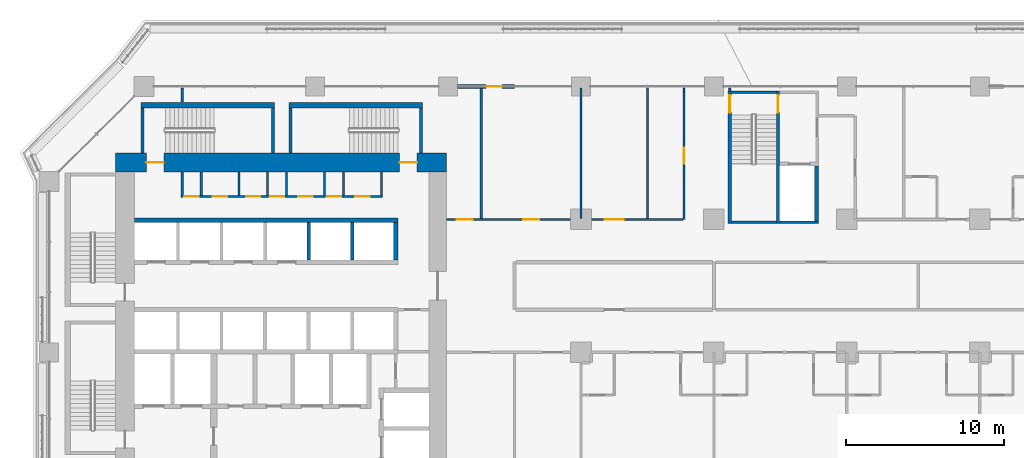
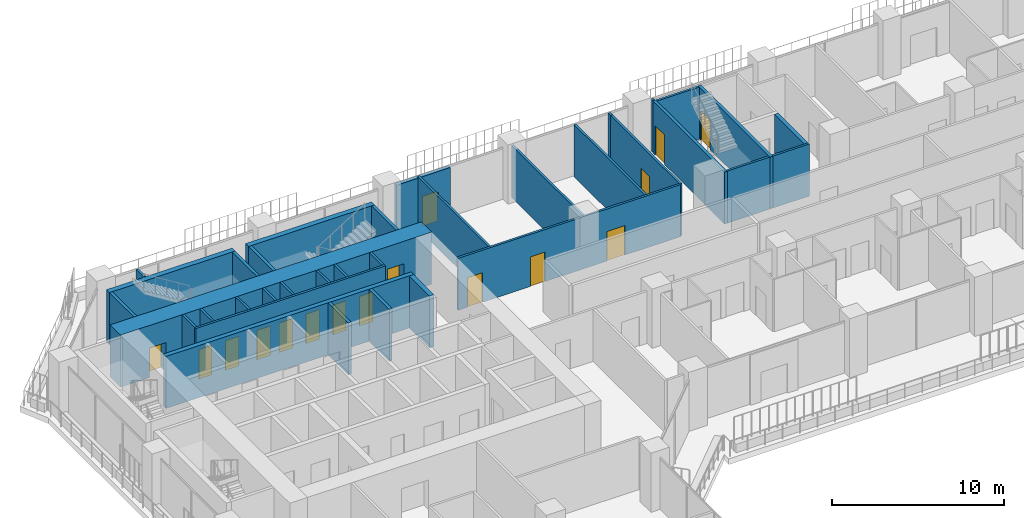
# One storey, part 18 of 28: 35 walls, 16 doors, 16 openings.
"""IFC4 building model written with IfcOpenShell, lengths in metres."""

from ifc_helpers import new_model, si_unit, direction, frame, frame_2d, origin, place, context, subcontext, project, spatial, rectangle, extrude, material, layer, layer_set, type_object, element, fill, save


model = new_model("IFC4")

# Units and contexts
model_context = context("Model", 3, precision=1e-05, world=origin(), true_north=direction((0.0, 1.0)))
body_context = subcontext(model_context, "Body", "Model", "MODEL_VIEW")
ifc_project = project(units=[si_unit("LENGTHUNIT", "METRE"), si_unit("AREAUNIT", "SQUARE_METRE"), si_unit("VOLUMEUNIT", "CUBIC_METRE"), si_unit("PLANEANGLEUNIT", "RADIAN"), si_unit("MASSUNIT", "GRAM", prefix="KILO")], contexts=[model_context])

# Site, building, storey
site_placement = place(None, origin())
site = spatial("IfcSite", under=ifc_project, at=site_placement, CompositionType="ELEMENT")
building_placement = place(site_placement, origin())
building = spatial("IfcBuilding", under=site, at=building_placement, Name="Kawkab Arch Medical Tower", CompositionType="ELEMENT")
storey_placement = place(building_placement, frame((0.0, 0.0, 89.60009765625)))
storey = spatial("IfcBuildingStorey", under=building, at=storey_placement, Name="L20", CompositionType="ELEMENT", Elevation=89.60009765625)

# Wall, openings, doors
ifc_material_1 = material(Name="Concrete C60/75", Category="concrete")
ifc_layer_1 = layer(ifc_material_1, 1.199951171875)
ifc_layer_set_1 = layer_set([ifc_layer_1], Name="Concrete C60/75")
wall_type_1 = type_object("IfcWallType", Name="Core ring wall 1200 C60/75", PredefinedType="SHEAR", material=ifc_layer_set_1)
wall_1_placement = place(storey_placement, frame((4.199951171875, -4.800048828125, 0.0), z_axis=(0.0, 0.0, 1.0), x_axis=(1.0, 0.0, 0.0)))
wall_1 = element("IfcWall", 1, at=wall_1_placement, inside=storey, type_object=wall_type_1, Name="L20 core wall", PredefinedType="SHEAR", context=body_context, shape_type="SweptSolid", body=[
    extrude(rectangle(XDim=20.900146484375, YDim=1.199951171875, at=frame_2d((10.4501953125, 0.0))), origin(), (0.0, 0.0, 1.0), 3.699951171875),
])
opening_1_placement = place(wall_1_placement, frame((1.949951171875, 0.0, 0.0)))
opening_1 = element("IfcOpeningElement", 2, at=opening_1_placement, cuts=wall_1, Name="Opening SD", PredefinedType="OPENING", context=body_context, shape_type="SweptSolid", body=[
    extrude(rectangle(XDim=1.10009765625, YDim=2.10009765625, at=frame_2d((0.550048828125, 1.050048828125))), frame((0.0, 0.60986328125, 0.0), z_axis=(0.0, -1.0, 0.0), x_axis=(1.0, 0.0, 0.0)), (0.0, 0.0, 1.0), 1.219970703125),
])
opening_2_placement = place(wall_1_placement, frame((17.949951171875, 0.0, 0.0)))
opening_2 = element("IfcOpeningElement", 3, at=opening_2_placement, cuts=wall_1, Name="Opening SD", PredefinedType="OPENING", context=body_context, shape_type="SweptSolid", body=[
    extrude(rectangle(XDim=1.10009765625, YDim=2.10009765625, at=frame_2d((0.550048828125, 1.050048828125))), frame((0.0, 0.60986328125, 0.0), z_axis=(0.0, -1.0, 0.0), x_axis=(1.0, 0.0, 0.0)), (0.0, 0.0, 1.0), 1.219970703125),
])
ifc_material_2 = material(Name="Hollow metal fire door leaf")
door_type_1 = type_object("IfcDoorType", Name="Exit stair door 1100", OperationType="SINGLE_SWING_LEFT", PredefinedType="DOOR", material=ifc_material_2)
door_1_placement = place(opening_1_placement, origin())
door_1 = element("IfcDoor", 4, at=door_1_placement, inside=storey, type_object=door_type_1, Name="L20 Exit stair ST3 door", OperationType="SINGLE_SWING_LEFT", OverallHeight=2.10009765625, OverallWidth=1.10009765625, PredefinedType="DOOR", context=body_context, shape_type="SweptSolid", body=[
    extrude(rectangle(XDim=1.10009765625, YDim=2.10009765625, at=frame_2d((0.550048828125, 1.050048828125))), frame((0.0, 0.02490234375, 0.0), z_axis=(0.0, -1.0, 0.0), x_axis=(1.0, 0.0, 0.0)), (0.0, 0.0, 1.0), 0.050048828125),
])
fill(opening_1, door_1)
door_2_placement = place(opening_2_placement, origin())
door_2 = element("IfcDoor", 5, at=door_2_placement, inside=storey, type_object=door_type_1, Name="L20 Exit stair ST4 door", OperationType="SINGLE_SWING_LEFT", OverallHeight=2.10009765625, OverallWidth=1.10009765625, PredefinedType="DOOR", context=body_context, shape_type="SweptSolid", body=[
    extrude(rectangle(XDim=1.10009765625, YDim=2.10009765625, at=frame_2d((0.550048828125, 1.050048828125))), frame((0.0, 0.02490234375, 0.0), z_axis=(0.0, -1.0, 0.0), x_axis=(1.0, 0.0, 0.0)), (0.0, 0.0, 1.0), 0.050048828125),
])
fill(opening_2, door_2)

ifc_material_3 = material(Name="Gypsum board on steel studs", Category="steel")
ifc_layer_2 = layer(ifc_material_3, 0.14990234375)
ifc_layer_set_2 = layer_set([ifc_layer_2], Name="Gypsum board on steel studs")
wall_type_2 = type_object("IfcWallType", Name="Core room partition 150", PredefinedType="PARTITIONING", material=ifc_layer_set_2)
wall_2_placement = place(storey_placement, frame((8.324951171875, -6.949951171875, 0.0), z_axis=(0.0, 0.0, 1.0), x_axis=(1.0, 0.0, 0.0)))
wall_2 = element("IfcWall", 6, at=wall_2_placement, inside=storey, type_object=wall_type_2, Name="L20 core room partition", PredefinedType="PARTITIONING", context=body_context, shape_type="SweptSolid", body=[
    extrude(rectangle(XDim=12.75, YDim=0.14990234375, at=frame_2d((6.375, 0.0))), origin(), (0.0, 0.0, 1.0), 3.699951171875),
])
opening_3_placement = place(wall_2_placement, frame((0.22509765625, 0.0, 0.0)))
opening_3 = element("IfcOpeningElement", 7, at=opening_3_placement, cuts=wall_2, Name="Opening RD", PredefinedType="OPENING", context=body_context, shape_type="SweptSolid", body=[
    extrude(rectangle(XDim=0.89990234375, YDim=2.10009765625, at=frame_2d((0.449951171875, 1.050048828125))), frame((0.0, 0.0849609375, 0.0), z_axis=(0.0, -1.0, 0.0), x_axis=(1.0, 0.0, 0.0)), (0.0, 0.0, 1.0), 0.169921875),
])
opening_4_placement = place(wall_2_placement, frame((2.02490234375, 0.0, 0.0)))
opening_4 = element("IfcOpeningElement", 8, at=opening_4_placement, cuts=wall_2, Name="Opening RD", PredefinedType="OPENING", context=body_context, shape_type="SweptSolid", body=[
    extrude(rectangle(XDim=0.89990234375, YDim=2.10009765625, at=frame_2d((0.449951171875, 1.050048828125))), frame((0.0, 0.0849609375, 0.0), z_axis=(0.0, -1.0, 0.0), x_axis=(1.0, 0.0, 0.0)), (0.0, 0.0, 1.0), 0.169921875),
])
opening_5_placement = place(wall_2_placement, frame((4.125, 0.0, 0.0)))
opening_5 = element("IfcOpeningElement", 9, at=opening_5_placement, cuts=wall_2, Name="Opening RD", PredefinedType="OPENING", context=body_context, shape_type="SweptSolid", body=[
    extrude(rectangle(XDim=0.89990234375, YDim=2.10009765625, at=frame_2d((0.449951171875, 1.050048828125))), frame((0.0, 0.0849609375, 0.0), z_axis=(0.0, -1.0, 0.0), x_axis=(1.0, 0.0, 0.0)), (0.0, 0.0, 1.0), 0.169921875),
])
opening_6_placement = place(wall_2_placement, frame((5.625, 0.0, 0.0)))
opening_6 = element("IfcOpeningElement", 10, at=opening_6_placement, cuts=wall_2, Name="Opening RD", PredefinedType="OPENING", context=body_context, shape_type="SweptSolid", body=[
    extrude(rectangle(XDim=0.89990234375, YDim=2.10009765625, at=frame_2d((0.449951171875, 1.050048828125))), frame((0.0, 0.0849609375, 0.0), z_axis=(0.0, -1.0, 0.0), x_axis=(1.0, 0.0, 0.0)), (0.0, 0.0, 1.0), 0.169921875),
])
opening_7_placement = place(wall_2_placement, frame((7.425048828125, 0.0, 0.0)))
opening_7 = element("IfcOpeningElement", 11, at=opening_7_placement, cuts=wall_2, Name="Opening RD", PredefinedType="OPENING", context=body_context, shape_type="SweptSolid", body=[
    extrude(rectangle(XDim=0.89990234375, YDim=2.10009765625, at=frame_2d((0.449951171875, 1.050048828125))), frame((0.0, 0.0849609375, 0.0), z_axis=(0.0, -1.0, 0.0), x_axis=(1.0, 0.0, 0.0)), (0.0, 0.0, 1.0), 0.169921875),
])
opening_8_placement = place(wall_2_placement, frame((9.22509765625, 0.0, 0.0)))
opening_8 = element("IfcOpeningElement", 12, at=opening_8_placement, cuts=wall_2, Name="Opening RD", PredefinedType="OPENING", context=body_context, shape_type="SweptSolid", body=[
    extrude(rectangle(XDim=0.89990234375, YDim=2.10009765625, at=frame_2d((0.449951171875, 1.050048828125))), frame((0.0, 0.0849609375, 0.0), z_axis=(0.0, -1.0, 0.0), x_axis=(1.0, 0.0, 0.0)), (0.0, 0.0, 1.0), 0.169921875),
])
opening_9_placement = place(wall_2_placement, frame((11.02490234375, 0.0, 0.0)))
opening_9 = element("IfcOpeningElement", 13, at=opening_9_placement, cuts=wall_2, Name="Opening RD", PredefinedType="OPENING", context=body_context, shape_type="SweptSolid", body=[
    extrude(rectangle(XDim=0.89990234375, YDim=2.10009765625, at=frame_2d((0.449951171875, 1.050048828125))), frame((0.0, 0.0849609375, 0.0), z_axis=(0.0, -1.0, 0.0), x_axis=(1.0, 0.0, 0.0)), (0.0, 0.0, 1.0), 0.169921875),
])
ifc_material_4 = material(Name="Hollow metal fire door leaf")
door_type_2 = type_object("IfcDoorType", Name="Core room door 900", OperationType="SINGLE_SWING_LEFT", PredefinedType="DOOR", material=ifc_material_4)
door_3_placement = place(opening_3_placement, origin())
door_3 = element("IfcDoor", 14, at=door_3_placement, inside=storey, type_object=door_type_2, Name="L20 Electrical riser room door", OperationType="SINGLE_SWING_LEFT", OverallHeight=2.10009765625, OverallWidth=0.89990234375, PredefinedType="DOOR", context=body_context, shape_type="SweptSolid", body=[
    extrude(rectangle(XDim=0.89990234375, YDim=2.10009765625, at=frame_2d((0.449951171875, 1.050048828125))), frame((0.0, 0.02490234375, 0.0), z_axis=(0.0, -1.0, 0.0), x_axis=(1.0, 0.0, 0.0)), (0.0, 0.0, 1.0), 0.050048828125),
])
fill(opening_3, door_3)
door_4_placement = place(opening_4_placement, origin())
door_4 = element("IfcDoor", 15, at=door_4_placement, inside=storey, type_object=door_type_2, Name="L20 Comms room door", OperationType="SINGLE_SWING_LEFT", OverallHeight=2.10009765625, OverallWidth=0.89990234375, PredefinedType="DOOR", context=body_context, shape_type="SweptSolid", body=[
    extrude(rectangle(XDim=0.89990234375, YDim=2.10009765625, at=frame_2d((0.449951171875, 1.050048828125))), frame((0.0, 0.02490234375, 0.0), z_axis=(0.0, -1.0, 0.0), x_axis=(1.0, 0.0, 0.0)), (0.0, 0.0, 1.0), 0.050048828125),
])
fill(opening_4, door_4)
door_5_placement = place(opening_5_placement, origin())
door_5 = element("IfcDoor", 16, at=door_5_placement, inside=storey, type_object=door_type_2, Name="L20 Medical gas plant room door", OperationType="SINGLE_SWING_LEFT", OverallHeight=2.10009765625, OverallWidth=0.89990234375, PredefinedType="DOOR", context=body_context, shape_type="SweptSolid", body=[
    extrude(rectangle(XDim=0.89990234375, YDim=2.10009765625, at=frame_2d((0.449951171875, 1.050048828125))), frame((0.0, 0.02490234375, 0.0), z_axis=(0.0, -1.0, 0.0), x_axis=(1.0, 0.0, 0.0)), (0.0, 0.0, 1.0), 0.050048828125),
])
fill(opening_5, door_5)
door_6_placement = place(opening_6_placement, origin())
door_6 = element("IfcDoor", 17, at=door_6_placement, inside=storey, type_object=door_type_2, Name="L20 Sprinkler valve room door", OperationType="SINGLE_SWING_LEFT", OverallHeight=2.10009765625, OverallWidth=0.89990234375, PredefinedType="DOOR", context=body_context, shape_type="SweptSolid", body=[
    extrude(rectangle(XDim=0.89990234375, YDim=2.10009765625, at=frame_2d((0.449951171875, 1.050048828125))), frame((0.0, 0.02490234375, 0.0), z_axis=(0.0, -1.0, 0.0), x_axis=(1.0, 0.0, 0.0)), (0.0, 0.0, 1.0), 0.050048828125),
])
fill(opening_6, door_6)
door_7_placement = place(opening_7_placement, origin())
door_7 = element("IfcDoor", 18, at=door_7_placement, inside=storey, type_object=door_type_2, Name="L20 Housekeeping store door", OperationType="SINGLE_SWING_LEFT", OverallHeight=2.10009765625, OverallWidth=0.89990234375, PredefinedType="DOOR", context=body_context, shape_type="SweptSolid", body=[
    extrude(rectangle(XDim=0.89990234375, YDim=2.10009765625, at=frame_2d((0.449951171875, 1.050048828125))), frame((0.0, 0.02490234375, 0.0), z_axis=(0.0, -1.0, 0.0), x_axis=(1.0, 0.0, 0.0)), (0.0, 0.0, 1.0), 0.050048828125),
])
fill(opening_7, door_7)
door_8_placement = place(opening_8_placement, origin())
door_8 = element("IfcDoor", 19, at=door_8_placement, inside=storey, type_object=door_type_2, Name="L20 Electrical riser room door", OperationType="SINGLE_SWING_LEFT", OverallHeight=2.10009765625, OverallWidth=0.89990234375, PredefinedType="DOOR", context=body_context, shape_type="SweptSolid", body=[
    extrude(rectangle(XDim=0.89990234375, YDim=2.10009765625, at=frame_2d((0.449951171875, 1.050048828125))), frame((0.0, 0.02490234375, 0.0), z_axis=(0.0, -1.0, 0.0), x_axis=(1.0, 0.0, 0.0)), (0.0, 0.0, 1.0), 0.050048828125),
])
fill(opening_8, door_8)
door_9_placement = place(opening_9_placement, origin())
door_9 = element("IfcDoor", 20, at=door_9_placement, inside=storey, type_object=door_type_2, Name="L20 General store door", OperationType="SINGLE_SWING_LEFT", OverallHeight=2.10009765625, OverallWidth=0.89990234375, PredefinedType="DOOR", context=body_context, shape_type="SweptSolid", body=[
    extrude(rectangle(XDim=0.89990234375, YDim=2.10009765625, at=frame_2d((0.449951171875, 1.050048828125))), frame((0.0, 0.02490234375, 0.0), z_axis=(0.0, -1.0, 0.0), x_axis=(1.0, 0.0, 0.0)), (0.0, 0.0, 1.0), 0.050048828125),
])
fill(opening_9, door_9)

# Walls
for number, where, z_axis, x_axis, name in (
    (21, (8.39990234375, -6.875, 0.0), (0.0, 0.0, 1.0), (0.0, 1.0, 0.0), "L20 core room partition"),
    (22, (9.60009765625, -6.875, 0.0), (0.0, 0.0, 1.0), (0.0, 1.0, 0.0), "L20 core room partition"),
    (23, (12.0, -6.875, 0.0), (0.0, 0.0, 1.0), (0.0, 1.0, 0.0), "L20 core room partition"),
    (24, (13.800048828125, -6.875, 0.0), (0.0, 0.0, 1.0), (0.0, 1.0, 0.0), "L20 core room partition"),
    (25, (15.0, -6.875, 0.0), (0.0, 0.0, 1.0), (0.0, 1.0, 0.0), "L20 core room partition"),
    (26, (17.39990234375, -6.875, 0.0), (0.0, 0.0, 1.0), (0.0, 1.0, 0.0), "L20 core room partition"),
    (27, (18.60009765625, -6.875, 0.0), (0.0, 0.0, 1.0), (0.0, 1.0, 0.0), "L20 core room partition"),
    (28, (21.0, -6.875, 0.0), (0.0, 0.0, 1.0), (0.0, 1.0, 0.0), "L20 core room partition"),
):
    element("IfcWall", number, at=place(storey_placement, frame(where, z_axis=z_axis, x_axis=x_axis)), inside=storey, type_object=wall_type_2, Name=name, PredefinedType="PARTITIONING", context=body_context, shape_type="SweptSolid", body=[
        extrude(rectangle(XDim=1.47509765625, YDim=0.14990234375, at=frame_2d((0.737548828125, 0.0))), origin(), (0.0, 0.0, 1.0), 3.699951171875),
    ])
ifc_material_5 = material(Name="Concrete C60/75", Category="concrete")
ifc_layer_3 = layer(ifc_material_5, 0.25)
ifc_layer_set_3 = layer_set([ifc_layer_3], Name="Concrete C60/75")
wall_type_3 = type_object("IfcWallType", Name="Core shear wall 250 C60/75", PredefinedType="SHEAR", material=ifc_layer_set_3)
wall_3_placement = place(storey_placement, frame((48.47509765625, -8.5, 0.0), z_axis=(0.0, 0.0, 1.0), x_axis=(0.0, 1.0, 0.0)))
element("IfcWall", 29, at=wall_3_placement, inside=storey, type_object=wall_type_3, Name="L20 core shear wall", PredefinedType="SHEAR", context=body_context, shape_type="SweptSolid", body=[
    extrude(rectangle(XDim=3.47509765625, YDim=0.25, at=frame_2d((1.737548828125, 0.0))), origin(), (0.0, 0.0, 1.0), 3.699951171875),
])
ifc_material_6 = material(Name="Concrete C60/75", Category="concrete")
ifc_layer_4 = layer(ifc_material_6, 0.300048828125)
ifc_layer_set_4 = layer_set([ifc_layer_4], Name="Concrete C60/75")
wall_type_4 = type_object("IfcWallType", Name="Core shear wall 300 C60/75", PredefinedType="SHEAR", material=ifc_layer_set_4)
wall_4_placement = place(storey_placement, frame((5.39990234375, -8.449951171875, 0.0), z_axis=(0.0, 0.0, 1.0), x_axis=(1.0, 0.0, 0.0)))
element("IfcWall", 30, at=wall_4_placement, inside=storey, type_object=wall_type_4, Name="L20 core shear wall", PredefinedType="SHEAR", context=body_context, shape_type="SweptSolid", body=[
    extrude(rectangle(XDim=16.650146484375, YDim=0.300048828125, at=frame_2d((8.3251953125, 0.0))), origin(), (0.0, 0.0, 1.0), 3.699951171875),
])
wall_5_placement = place(storey_placement, frame((21.89990234375, -10.949951171875, 0.0), z_axis=(0.0, 0.0, 1.0), x_axis=(0.0, 1.0, 0.0)))
element("IfcWall", 31, at=wall_5_placement, inside=storey, type_object=wall_type_4, Name="L20 core shear wall", PredefinedType="SHEAR", context=body_context, shape_type="SweptSolid", body=[
    extrude(rectangle(XDim=2.349853515625, YDim=0.300048828125, at=frame_2d((1.1748046875, 0.0))), origin(), (0.0, 0.0, 1.0), 3.699951171875),
])

# Wall, opening, door
ifc_material_7 = material(Name="Bronze clad insulated wall panel")
ifc_layer_5 = layer(ifc_material_7, 0.25)
ifc_layer_set_5 = layer_set([ifc_layer_5], Name="Bronze clad insulated wall panel")
wall_type_5 = type_object("IfcWallType", Name="External wall bay 250", PredefinedType="SOLIDWALL", material=ifc_layer_set_5)
wall_6_placement = place(storey_placement, frame((29.39990234375, 0.0, 0.0), z_axis=(0.0, 0.0, 1.0), x_axis=(-1.0, 0.0, 0.0)))
wall_6 = element("IfcWall", 32, at=wall_6_placement, inside=storey, type_object=wall_type_5, Name="External wall bay L20.R11.6.2", PredefinedType="SOLIDWALL", context=body_context, shape_type="SweptSolid", body=[
    extrude(rectangle(XDim=3.599853515625, YDim=0.25, at=frame_2d((1.7998046875, 0.0))), origin(), (0.0, 0.0, 1.0), 3.579833984375),
])
opening_10_placement = place(wall_6_placement, frame((0.800048828125, 0.0, 0.0)))
opening_10 = element("IfcOpeningElement", 33, at=opening_10_placement, cuts=wall_6, Name="Opening W13B-701", PredefinedType="OPENING", context=body_context, shape_type="SweptSolid", body=[
    extrude(rectangle(XDim=1.0, YDim=2.10009765625, at=frame_2d((0.5, 1.050048828125))), frame((0.0, 0.135009765625, 0.0), z_axis=(0.0, -1.0, 0.0), x_axis=(1.0, 0.0, 0.0)), (0.0, 0.0, 1.0), 0.27001953125),
])
ifc_material_8 = material(Name="Bronze anodised aluminium door with tinted glass", Category="aluminium")
door_type_3 = type_object("IfcDoorType", Name="Single external door 1000 x 2100", OperationType="SINGLE_SWING_LEFT", PredefinedType="DOOR", material=ifc_material_8)
door_10_placement = place(opening_10_placement, origin())
door_10 = element("IfcDoor", 34, at=door_10_placement, inside=storey, type_object=door_type_3, Name="External door L20.R11.6.2", OperationType="SINGLE_SWING_LEFT", OverallHeight=2.10009765625, OverallWidth=1.0, PredefinedType="DOOR", context=body_context, shape_type="SweptSolid", body=[
    extrude(rectangle(XDim=1.0, YDim=2.10009765625, at=frame_2d((0.5, 1.050048828125))), frame((0.0, 0.02490234375, 0.0), z_axis=(0.0, -1.0, 0.0), x_axis=(1.0, 0.0, 0.0)), (0.0, 0.0, 1.0), 0.050048828125),
])
fill(opening_10, door_10)

# Walls
ifc_material_9 = material(Name="Dense concrete blockwork", Category="masonry")
ifc_layer_6 = layer(ifc_material_9, 0.199951171875)
ifc_layer_set_6 = layer_set([ifc_layer_6], Name="Dense concrete blockwork")
wall_type_6 = type_object("IfcWallType", Name="Lift shaft partition 200", PredefinedType="PARTITIONING", material=ifc_layer_set_6)
for number, where, z_axis, x_axis, name in (
    (35, (16.39990234375, -10.949951171875, 0.0), (0.0, 0.0, 1.0), (0.0, 1.0, 0.0), "L20 lift shaft partition"),
    (36, (19.14990234375, -10.949951171875, 0.0), (0.0, 0.0, 1.0), (0.0, 1.0, 0.0), "L20 lift shaft partition"),
):
    element("IfcWall", number, at=place(storey_placement, frame(where, z_axis=z_axis, x_axis=x_axis)), inside=storey, type_object=wall_type_6, Name=name, PredefinedType="PARTITIONING", context=body_context, shape_type="SweptSolid", body=[
        extrude(rectangle(XDim=2.349853515625, YDim=0.199951171875, at=frame_2d((1.1748046875, 0.0))), origin(), (0.0, 0.0, 1.0), 3.699951171875),
    ])

# Wall, openings, doors
ifc_material_10 = material(Name="Gypsum board partition on steel studs, mineral wool", Category="steel")
ifc_layer_7 = layer(ifc_material_10, 0.14990234375)
ifc_layer_set_7 = layer_set([ifc_layer_7], Name="Gypsum board partition on steel studs, mineral wool")
wall_type_7 = type_object("IfcWallType", Name="Partition 150", PredefinedType="PARTITIONING", material=ifc_layer_set_7)
wall_7_placement = place(storey_placement, frame((25.10009765625, -8.39990234375, 0.0), z_axis=(0.0, 0.0, 1.0), x_axis=(1.0, 0.0, 0.0)))
wall_7 = element("IfcWall", 37, at=wall_7_placement, inside=storey, type_object=wall_type_7, Name="Partition 150 w077", PredefinedType="PARTITIONING", context=body_context, shape_type="SweptSolid", body=[
    extrude(rectangle(XDim=14.931884765625, YDim=0.14990234375, at=frame_2d((7.4658203125, 0.0))), origin(), (0.0, 0.0, 1.0), 3.699951171875),
])
opening_11_placement = place(wall_7_placement, frame((10.0, 0.0, 0.0)))
opening_11 = element("IfcOpeningElement", 38, at=opening_11_placement, cuts=wall_7, Name="Opening W13B-036", PredefinedType="OPENING", context=body_context, shape_type="SweptSolid", body=[
    extrude(rectangle(XDim=1.199951171875, YDim=2.10009765625, at=frame_2d((0.60009765625, 1.050048828125))), frame((0.0, 0.0849609375, 0.0), z_axis=(0.0, -1.0, 0.0), x_axis=(1.0, 0.0, 0.0)), (0.0, 0.0, 1.0), 0.169921875),
])
opening_12_placement = place(wall_7_placement, frame((0.64990234375, 0.0, 0.0)))
opening_12 = element("IfcOpeningElement", 39, at=opening_12_placement, cuts=wall_7, Name="Opening W13B-020", PredefinedType="OPENING", context=body_context, shape_type="SweptSolid", body=[
    extrude(rectangle(XDim=1.0, YDim=2.10009765625, at=frame_2d((0.5, 1.050048828125))), frame((0.0, 0.0849609375, 0.0), z_axis=(0.0, -1.0, 0.0), x_axis=(1.0, 0.0, 0.0)), (0.0, 0.0, 1.0), 0.169921875),
])
opening_13_placement = place(wall_7_placement, frame((4.85009765625, 0.0, 0.0)))
opening_13 = element("IfcOpeningElement", 40, at=opening_13_placement, cuts=wall_7, Name="Opening W13B-035", PredefinedType="OPENING", context=body_context, shape_type="SweptSolid", body=[
    extrude(rectangle(XDim=1.0, YDim=2.10009765625, at=frame_2d((0.5, 1.050048828125))), frame((0.0, 0.0849609375, 0.0), z_axis=(0.0, -1.0, 0.0), x_axis=(1.0, 0.0, 0.0)), (0.0, 0.0, 1.0), 0.169921875),
])
ifc_material_11 = material(Name="Timber door leaf", Category="wood")
door_type_4 = type_object("IfcDoorType", Name="Single door 1000x2100", OperationType="NOTDEFINED", PredefinedType="DOOR", material=ifc_material_11)
door_11_placement = place(opening_12_placement, origin())
door_11 = element("IfcDoor", 41, at=door_11_placement, inside=storey, type_object=door_type_4, Name="Door W13B-020", OperationType="SINGLE_SWING_LEFT", OverallHeight=2.10009765625, OverallWidth=1.0, PredefinedType="DOOR", context=body_context, shape_type="SweptSolid", body=[
    extrude(rectangle(XDim=1.0, YDim=2.10009765625, at=frame_2d((0.5, 1.050048828125))), frame((0.0, 0.02490234375, 0.0), z_axis=(0.0, -1.0, 0.0), x_axis=(1.0, 0.0, 0.0)), (0.0, 0.0, 1.0), 0.050048828125),
])
fill(opening_12, door_11)
ifc_material_12 = material(Name="Hollow metal door leaf")
door_type_5 = type_object("IfcDoorType", Name="Single door 1000x2100 FD30S", OperationType="NOTDEFINED", PredefinedType="DOOR", material=ifc_material_12)
door_12_placement = place(opening_13_placement, origin())
door_12 = element("IfcDoor", 42, at=door_12_placement, inside=storey, type_object=door_type_5, Name="Door W13B-035", OperationType="SINGLE_SWING_LEFT", OverallHeight=2.10009765625, OverallWidth=1.0, PredefinedType="DOOR", context=body_context, shape_type="SweptSolid", body=[
    extrude(rectangle(XDim=1.0, YDim=2.10009765625, at=frame_2d((0.5, 1.050048828125))), frame((0.0, 0.02490234375, 0.0), z_axis=(0.0, -1.0, 0.0), x_axis=(1.0, 0.0, 0.0)), (0.0, 0.0, 1.0), 0.050048828125),
])
fill(opening_13, door_12)
ifc_material_13 = material(Name="Hollow metal door leaf")
door_type_6 = type_object("IfcDoorType", Name="Single door 1200x2100 FD30S", OperationType="NOTDEFINED", PredefinedType="DOOR", material=ifc_material_13)
door_13_placement = place(opening_11_placement, origin())
door_13 = element("IfcDoor", 43, at=door_13_placement, inside=storey, type_object=door_type_6, Name="Door W13B-036", OperationType="SINGLE_SWING_RIGHT", OverallHeight=2.10009765625, OverallWidth=1.199951171875, PredefinedType="DOOR", context=body_context, shape_type="SweptSolid", body=[
    extrude(rectangle(XDim=1.199951171875, YDim=2.10009765625, at=frame_2d((0.60009765625, 1.050048828125))), frame((0.0, 0.02490234375, 0.0), z_axis=(0.0, -1.0, 0.0), x_axis=(1.0, 0.0, 0.0)), (0.0, 0.0, 1.0), 0.050048828125),
])
fill(opening_11, door_13)

# Walls
wall_8_placement = place(storey_placement, frame((8.39990234375, -0.969970703125, 0.0), z_axis=(0.0, 0.0, 1.0), x_axis=(0.0, 1.0, 0.0)))
element("IfcWall", 44, at=wall_8_placement, inside=storey, type_object=wall_type_7, Name="Partition 150 w085", PredefinedType="PARTITIONING", context=body_context, shape_type="SweptSolid", body=[
    extrude(rectangle(XDim=0.889892578125, YDim=0.14990234375, at=frame_2d((0.44482421875, 0.0))), origin(), (0.0, 0.0, 1.0), 3.699951171875),
])
for number, where, z_axis, x_axis, name in (
    (45, (27.300048828125, -8.324951171875, 0.0), (0.0, 0.0, 1.0), (0.0, 1.0, 0.0), "Partition 150 w094"),
    (46, (33.60009765625, -8.324951171875, 0.0), (0.0, 0.0, 1.0), (0.0, 1.0, 0.0), "Partition 150 w097"),
    (47, (37.800048828125, -8.324951171875, 0.0), (0.0, 0.0, 1.0), (0.0, 1.0, 0.0), "Partition 150 w099"),
):
    element("IfcWall", number, at=place(storey_placement, frame(where, z_axis=z_axis, x_axis=x_axis)), inside=storey, type_object=wall_type_7, Name=name, PredefinedType="PARTITIONING", context=body_context, shape_type="SweptSolid", body=[
        extrude(rectangle(XDim=8.244873046875, YDim=0.14990234375, at=frame_2d((4.12255859375, 0.0))), origin(), (0.0, 0.0, 1.0), 3.699951171875),
    ])

# Wall, opening, door
wall_9_placement = place(storey_placement, frame((40.10693359375, -8.39990234375, 0.0), z_axis=(0.0, 0.0, 1.0), x_axis=(0.0, 1.0, 0.0)))
wall_9 = element("IfcWall", 48, at=wall_9_placement, inside=storey, type_object=wall_type_7, Name="Partition 150 w100", PredefinedType="PARTITIONING", context=body_context, shape_type="SweptSolid", body=[
    extrude(rectangle(XDim=8.0478515625, YDim=0.14990234375, at=frame_2d((4.02392578125, 0.0))), origin(), (0.0, 0.0, 1.0), 3.699951171875),
])
opening_14_placement = place(wall_9_placement, frame((3.52392578125, 0.0, 0.0)))
opening_14 = element("IfcOpeningElement", 49, at=opening_14_placement, cuts=wall_9, Name="Opening W13B-022", PredefinedType="OPENING", context=body_context, shape_type="SweptSolid", body=[
    extrude(rectangle(XDim=1.0, YDim=2.10009765625, at=frame_2d((0.5, 1.050048828125))), frame((0.0, 0.0849609375, 0.0), z_axis=(0.0, -1.0, 0.0), x_axis=(1.0, 0.0, 0.0)), (0.0, 0.0, 1.0), 0.169921875),
])
door_14_placement = place(opening_14_placement, origin())
door_14 = element("IfcDoor", 50, at=door_14_placement, inside=storey, type_object=door_type_5, Name="Door W13B-022", OperationType="SINGLE_SWING_RIGHT", OverallHeight=2.10009765625, OverallWidth=1.0, PredefinedType="DOOR", context=body_context, shape_type="SweptSolid", body=[
    extrude(rectangle(XDim=1.0, YDim=2.10009765625, at=frame_2d((0.5, 1.050048828125))), frame((0.0, 0.02490234375, 0.0), z_axis=(0.0, -1.0, 0.0), x_axis=(1.0, 0.0, 0.0)), (0.0, 0.0, 1.0), 0.050048828125),
])
fill(opening_14, door_14)

# Walls
wall_10_placement = place(storey_placement, frame((40.10693359375, -0.35009765625, 0.0), z_axis=(0.0, 0.0, 1.0), x_axis=(0.0, 1.0, 0.0)))
element("IfcWall", 51, at=wall_10_placement, inside=storey, type_object=wall_type_7, Name="Partition 150 w101", PredefinedType="PARTITIONING", context=body_context, shape_type="SweptSolid", body=[
    extrude(rectangle(XDim=0.27001953125, YDim=0.14990234375, at=frame_2d((0.135009765625, 0.0))), origin(), (0.0, 0.0, 1.0), 3.699951171875),
])
wall_11_placement = place(storey_placement, frame((43.0, -0.27001953125, 0.0), z_axis=(0.0, 0.0, 1.0), x_axis=(0.0, 1.0, 0.0)))
element("IfcWall", 52, at=wall_11_placement, inside=storey, type_object=wall_type_7, Name="Partition 150 w104", PredefinedType="PARTITIONING", context=body_context, shape_type="SweptSolid", body=[
    extrude(rectangle(XDim=0.18994140625, YDim=0.14990234375, at=frame_2d((0.094970703125, 0.0))), origin(), (0.0, 0.0, 1.0), 3.699951171875),
])
ifc_material_14 = material(Name="Concrete C50/60", Category="concrete")
ifc_layer_8 = layer(ifc_material_14, 0.14990234375)
ifc_layer_set_8 = layer_set([ifc_layer_8], Name="Concrete C50/60")
wall_type_8 = type_object("IfcWallType", Name="Stair enclosure wall 150 C50/60", PredefinedType="SHEAR", material=ifc_layer_set_8)
for number, where, z_axis, x_axis, name in (
    (53, (43.10009765625, -0.375, 0.0), (0.0, 0.0, 1.0), (1.0, 0.0, 0.0), "L20 stair enclosure wall"),
    (54, (43.10009765625, -8.574951171875, 0.0), (0.0, 0.0, 1.0), (1.0, 0.0, 0.0), "L20 stair enclosure wall"),
):
    element("IfcWall", number, at=place(storey_placement, frame(where, z_axis=z_axis, x_axis=x_axis)), inside=storey, type_object=wall_type_8, Name=name, PredefinedType="SHEAR", context=body_context, shape_type="SweptSolid", body=[
        extrude(rectangle(XDim=2.849853515625, YDim=0.14990234375, at=frame_2d((1.4248046875, 0.0))), origin(), (0.0, 0.0, 1.0), 3.699951171875),
    ])
wall_12_placement = place(storey_placement, frame((46.14990234375, -8.574951171875, 0.0), z_axis=(0.0, 0.0, 1.0), x_axis=(1.0, 0.0, 0.0)))
element("IfcWall", 55, at=wall_12_placement, inside=storey, type_object=wall_type_8, Name="L20 stair enclosure wall", PredefinedType="SHEAR", context=body_context, shape_type="SweptSolid", body=[
    extrude(rectangle(XDim=2.4501953125, YDim=0.14990234375, at=frame_2d((1.22509765625, 0.0))), origin(), (0.0, 0.0, 1.0), 3.699951171875),
])
ifc_material_15 = material(Name="Concrete C50/60", Category="concrete")
ifc_layer_9 = layer(ifc_material_15, 0.199951171875)
ifc_layer_set_9 = layer_set([ifc_layer_9], Name="Concrete C50/60")
wall_type_9 = type_object("IfcWallType", Name="Stair enclosure wall 200 C50/60", PredefinedType="SHEAR", material=ifc_layer_set_9)
for number, where, z_axis, x_axis, name in (
    (56, (5.89990234375, -4.199951171875, 0.0), (0.0, 0.0, 1.0), (0.0, 1.0, 0.0), "L20 stair enclosure wall"),
    (57, (14.14990234375, -4.199951171875, 0.0), (0.0, 0.0, 1.0), (0.0, 1.0, 0.0), "L20 stair enclosure wall"),
    (58, (15.25, -4.199951171875, 0.0), (0.0, 0.0, 1.0), (0.0, 1.0, 0.0), "L20 stair enclosure wall"),
    (59, (23.5, -4.199951171875, 0.0), (0.0, 0.0, 1.0), (0.0, 1.0, 0.0), "L20 stair enclosure wall"),
):
    element("IfcWall", number, at=place(storey_placement, frame(where, z_axis=z_axis, x_axis=x_axis)), inside=storey, type_object=wall_type_9, Name=name, PredefinedType="SHEAR", context=body_context, shape_type="SweptSolid", body=[
        extrude(rectangle(XDim=2.849853515625, YDim=0.199951171875, at=frame_2d((1.4248046875, 0.0))), origin(), (0.0, 0.0, 1.0), 3.699951171875),
    ])

# Wall, opening, door
wall_13_placement = place(storey_placement, frame((43.0, -8.64990234375, 0.0), z_axis=(0.0, 0.0, 1.0), x_axis=(0.0, 1.0, 0.0)))
wall_13 = element("IfcWall", 60, at=wall_13_placement, inside=storey, type_object=wall_type_9, Name="L20 stair enclosure wall", PredefinedType="SHEAR", context=body_context, shape_type="SweptSolid", body=[
    extrude(rectangle(XDim=8.349853515625, YDim=0.199951171875, at=frame_2d((4.1748046875, 0.0))), origin(), (0.0, 0.0, 1.0), 3.699951171875),
])
opening_15_placement = place(wall_13_placement, frame((7.0, 0.0, 0.0)))
opening_15 = element("IfcOpeningElement", 61, at=opening_15_placement, cuts=wall_13, Name="Opening SD", PredefinedType="OPENING", context=body_context, shape_type="SweptSolid", body=[
    extrude(rectangle(XDim=1.10009765625, YDim=2.10009765625, at=frame_2d((0.550048828125, 1.050048828125))), frame((0.0, 0.10986328125, 0.0), z_axis=(0.0, -1.0, 0.0), x_axis=(1.0, 0.0, 0.0)), (0.0, 0.0, 1.0), 0.219970703125),
])
door_15_placement = place(opening_15_placement, frame((1.10009765625, 0.0, 0.0), z_axis=(0.0, 0.0, 1.0), x_axis=(-1.0, 0.0, 0.0)))
door_15 = element("IfcDoor", 62, at=door_15_placement, inside=storey, type_object=door_type_1, Name="L20 Exit stair ST5 door", OperationType="SINGLE_SWING_LEFT", OverallHeight=2.10009765625, OverallWidth=1.10009765625, PredefinedType="DOOR", context=body_context, shape_type="SweptSolid", body=[
    extrude(rectangle(XDim=1.10009765625, YDim=2.10009765625, at=frame_2d((0.550048828125, 1.050048828125))), frame((0.0, 0.02490234375, 0.0), z_axis=(0.0, -1.0, 0.0), x_axis=(1.0, 0.0, 0.0)), (0.0, 0.0, 1.0), 0.050048828125),
])
fill(opening_15, door_15)

wall_14_placement = place(storey_placement, frame((46.050048828125, -8.64990234375, 0.0), z_axis=(0.0, 0.0, 1.0), x_axis=(0.0, 1.0, 0.0)))
wall_14 = element("IfcWall", 63, at=wall_14_placement, inside=storey, type_object=wall_type_9, Name="L20 stair enclosure wall", PredefinedType="SHEAR", context=body_context, shape_type="SweptSolid", body=[
    extrude(rectangle(XDim=8.349853515625, YDim=0.199951171875, at=frame_2d((4.1748046875, 0.0))), origin(), (0.0, 0.0, 1.0), 3.699951171875),
])
opening_16_placement = place(wall_14_placement, frame((7.0, 0.0, 0.0)))
opening_16 = element("IfcOpeningElement", 64, at=opening_16_placement, cuts=wall_14, Name="Opening SD", PredefinedType="OPENING", context=body_context, shape_type="SweptSolid", body=[
    extrude(rectangle(XDim=1.10009765625, YDim=2.10009765625, at=frame_2d((0.550048828125, 1.050048828125))), frame((0.0, 0.10986328125, 0.0), z_axis=(0.0, -1.0, 0.0), x_axis=(1.0, 0.0, 0.0)), (0.0, 0.0, 1.0), 0.219970703125),
])
door_16_placement = place(opening_16_placement, origin())
door_16 = element("IfcDoor", 65, at=door_16_placement, inside=storey, type_object=door_type_1, Name="L20 Exit stair ST5 lobby door", OperationType="SINGLE_SWING_LEFT", OverallHeight=2.10009765625, OverallWidth=1.10009765625, PredefinedType="DOOR", context=body_context, shape_type="SweptSolid", body=[
    extrude(rectangle(XDim=1.10009765625, YDim=2.10009765625, at=frame_2d((0.550048828125, 1.050048828125))), frame((0.0, 0.02490234375, 0.0), z_axis=(0.0, -1.0, 0.0), x_axis=(1.0, 0.0, 0.0)), (0.0, 0.0, 1.0), 0.050048828125),
])
fill(opening_16, door_16)

# Walls
ifc_material_16 = material(Name="Concrete C50/60", Category="concrete")
ifc_layer_10 = layer(ifc_material_16, 0.35009765625)
ifc_layer_set_10 = layer_set([ifc_layer_10], Name="Concrete C50/60")
wall_type_10 = type_object("IfcWallType", Name="Stair enclosure wall 350 C50/60", PredefinedType="SHEAR", material=ifc_layer_set_10)
wall_15_placement = place(storey_placement, frame((5.800048828125, -1.175048828125, 0.0), z_axis=(0.0, 0.0, 1.0), x_axis=(1.0, 0.0, 0.0)))
element("IfcWall", 66, at=wall_15_placement, inside=storey, type_object=wall_type_10, Name="L20 stair enclosure wall", PredefinedType="SHEAR", context=body_context, shape_type="SweptSolid", body=[
    extrude(rectangle(XDim=8.449951171875, YDim=0.35009765625, at=frame_2d((4.22509765625, 0.0))), origin(), (0.0, 0.0, 1.0), 3.699951171875),
])
wall_16_placement = place(storey_placement, frame((15.14990234375, -1.175048828125, 0.0), z_axis=(0.0, 0.0, 1.0), x_axis=(1.0, 0.0, 0.0)))
element("IfcWall", 67, at=wall_16_placement, inside=storey, type_object=wall_type_10, Name="L20 stair enclosure wall", PredefinedType="SHEAR", context=body_context, shape_type="SweptSolid", body=[
    extrude(rectangle(XDim=8.4501953125, YDim=0.35009765625, at=frame_2d((4.22509765625, 0.0))), origin(), (0.0, 0.0, 1.0), 3.699951171875),
])

save(model, "model.ifc")
